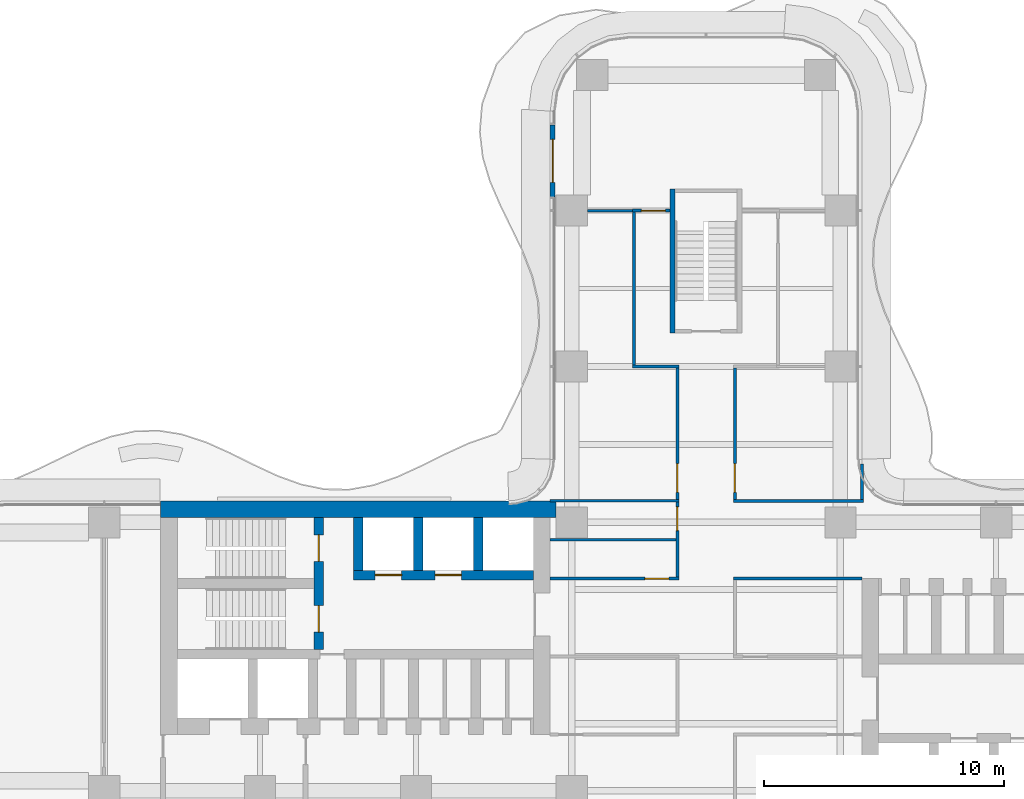
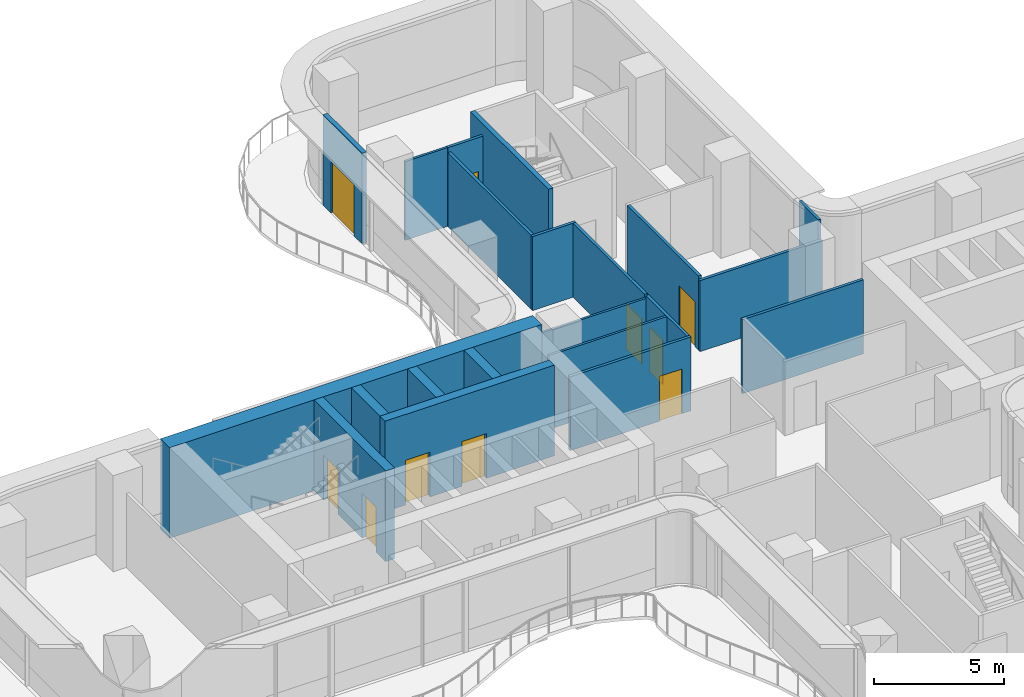
# One storey, part 20 of 23: 21 walls, 10 doors, 10 openings.
"""IFC4 building model written with IfcOpenShell, lengths in metres."""

import ifcopenshell
import ifcopenshell.guid

model = None  # the IFC model being written
_history = None  # IfcOwnerHistory: only IFC2X3 demands one
_inside = {}  # id of a spatial element -> (the spatial element, [elements in it])
_under = {}  # id of a project, library or spatial element -> (it, [spatial elements below it])
_declared = {}  # id of a project -> (the project, [libraries it declares])
_typed = {}  # id of a type object -> (the type object, [elements of that type])
_made_of = {}  # id of a material, layer set ... -> (it, [elements and type objects made of it])


def new_model(schema):
    """Start an empty IFC model of exactly this schema.

    Asked for "IFC4X3", IfcOpenShell would pick the latest addendum, in which some entities
    have other attributes; the version numbers below select the first issue.
    IFC2X3 requires an IfcOwnerHistory on every rooted entity: one is made here for all.
    """
    global model, _history
    if schema == "IFC4X3":
        model = ifcopenshell.file(schema_version=(4, 3, 0, 0))
    else:
        model = ifcopenshell.file(schema=schema)
    _inside.clear()
    _under.clear()
    _declared.clear()
    _typed.clear()
    _made_of.clear()
    _history = None
    if model.schema == "IFC2X3":
        org = make("IfcOrganization", Name="unknown")
        user = make(
            "IfcPersonAndOrganization",
            ThePerson=make("IfcPerson", FamilyName="unknown"),
            TheOrganization=org,
        )
        app = make(
            "IfcApplication",
            ApplicationDeveloper=org,
            Version="unknown",
            ApplicationFullName="unknown",
            ApplicationIdentifier="unknown",
        )
        _history = make(
            "IfcOwnerHistory",
            OwningUser=user,
            OwningApplication=app,
            ChangeAction="ADDED",
            CreationDate=0,
        )
    return model


def make(cls, **values):
    """One entity of the class cls with the attributes given. An attribute that is None is left unset."""
    return model.create_entity(
        cls, **{name: value for name, value in values.items() if value is not None}
    )


def rooted(cls, **values):
    """An entity with a GlobalId (a new one), such as an element, a storey or a relation."""
    return make(cls, GlobalId=ifcopenshell.guid.new(), OwnerHistory=_history, **values)


def si_unit(unit_type, name, prefix=None):
    """IfcSIUnit, for example si_unit("LENGTHUNIT", "METRE", prefix="MILLI")."""
    return make("IfcSIUnit", UnitType=unit_type, Prefix=prefix, Name=name)


def assignment(units):
    """IfcUnitAssignment: the units of a project."""
    return None if units is None else make("IfcUnitAssignment", Units=units)


def point(xyz):
    """IfcCartesianPoint."""
    return None if xyz is None else make("IfcCartesianPoint", Coordinates=xyz)


def direction(xyz):
    """IfcDirection."""
    return None if xyz is None else make("IfcDirection", DirectionRatios=xyz)


def frame(location, z_axis=None, x_axis=None):
    """IfcAxis2Placement3D, a coordinate frame: its origin and axes. An axis left out is left unset."""
    return make(
        "IfcAxis2Placement3D",
        Location=point(location),
        Axis=direction(z_axis),
        RefDirection=direction(x_axis),
    )


def frame_2d(location, x_axis=None):
    """IfcAxis2Placement2D, a coordinate frame in the plane: its origin and x axis."""
    return make(
        "IfcAxis2Placement2D", Location=point(location), RefDirection=direction(x_axis)
    )


def origin():
    """The frame at (0, 0, 0) with its axes left unset."""
    return frame((0.0, 0.0, 0.0))


def place(relative_to, where):
    """IfcLocalPlacement: puts the frame where relative to a parent placement (None: the world)."""
    return make(
        "IfcLocalPlacement", PlacementRelTo=relative_to, RelativePlacement=where
    )


def context(
    kind, dimensions, precision=None, world=None, true_north=None, identifier=None
):
    """IfcGeometricRepresentationContext, for example the 3D "Model" context."""
    return make(
        "IfcGeometricRepresentationContext",
        ContextIdentifier=identifier,
        ContextType=kind,
        CoordinateSpaceDimension=dimensions,
        Precision=precision,
        WorldCoordinateSystem=world,
        TrueNorth=true_north,
    )


def subcontext(parent, identifier, kind, view, scale=None):
    """IfcGeometricRepresentationSubContext, for example "Body" below "Model"."""
    return make(
        "IfcGeometricRepresentationSubContext",
        ContextIdentifier=identifier,
        ContextType=kind,
        ParentContext=parent,
        TargetScale=scale,
        TargetView=view,
    )


def project(units=None, contexts=None):
    """IfcProject with its units and contexts."""
    return rooted(
        "IfcProject",
        Name="project",
        RepresentationContexts=contexts,
        UnitsInContext=assignment(units),
    )


def spatial(cls, under=None, at=None, **own):
    """A site, building, storey or space (cls), placed at a placement, below another one or the project."""
    s = rooted(cls, ObjectPlacement=at, **own)
    if under is not None:
        _under.setdefault(under.id(), (under, []))[1].append(s)
    return s


def profile(cls, at=None, kind="AREA", **sizes):
    """A parametric profile (cls). Its sizes go by their IFC names, for example OverallWidth=200.0."""
    return make(cls, ProfileType=kind, Position=at, **sizes)


def rectangle(**sizes):
    """IfcRectangleProfileDef."""
    return profile("IfcRectangleProfileDef", **sizes)


def extrude(swept, where, along, depth):
    """IfcExtrudedAreaSolid: the profile swept, set in the frame where, extruded along a direction by depth."""
    return make(
        "IfcExtrudedAreaSolid",
        SweptArea=swept,
        Position=where,
        ExtrudedDirection=direction(along),
        Depth=depth,
    )


def shape(context_of_items, identifier, shape_type, items):
    """IfcShapeRepresentation: the items that make up one representation, for example the "Body"."""
    return make(
        "IfcShapeRepresentation",
        ContextOfItems=context_of_items,
        RepresentationIdentifier=identifier,
        RepresentationType=shape_type,
        Items=items,
    )


def source(mapping_origin, context_of_items, identifier, shape_type, items):
    """IfcRepresentationMap: a shape defined once, which mapped items show again and again."""
    return make(
        "IfcRepresentationMap",
        MappingOrigin=mapping_origin,
        MappedRepresentation=shape(context_of_items, identifier, shape_type, items),
    )


def transform(
    local_origin,
    x_axis=None,
    y_axis=None,
    z_axis=None,
    scale=None,
    scale2=None,
    scale3=None,
    uniform=True,
):
    """IfcCartesianTransformationOperator3D, or its non-uniform kind. x_axis, y_axis, z_axis: its Axis1, 2, 3."""
    if uniform:
        return make(
            "IfcCartesianTransformationOperator3D",
            Axis1=direction(x_axis),
            Axis2=direction(y_axis),
            LocalOrigin=point(local_origin),
            Scale=scale,
            Axis3=direction(z_axis),
        )
    return make(
        "IfcCartesianTransformationOperator3DnonUniform",
        Axis1=direction(x_axis),
        Axis2=direction(y_axis),
        LocalOrigin=point(local_origin),
        Scale=scale,
        Axis3=direction(z_axis),
        Scale2=scale2,
        Scale3=scale3,
    )


def mapped(mapping_source, mapping_target):
    """IfcMappedItem: shows the shape of a source again, moved by a transform."""
    return make(
        "IfcMappedItem", MappingSource=mapping_source, MappingTarget=mapping_target
    )


def material(Name=None, Category=None):
    """IfcMaterial."""
    return make("IfcMaterial", Name=Name, Category=Category)


def layer(
    of_material, thickness, ventilated=None, Name=None, Category=None, Priority=None
):
    """IfcMaterialLayer: one layer of a wall or slab, of a material (None: an air gap)."""
    return make(
        "IfcMaterialLayer",
        Material=of_material,
        LayerThickness=thickness,
        IsVentilated=ventilated,
        Name=Name,
        Category=Category,
        Priority=Priority,
    )


def layer_set(layers, Name=None):
    """IfcMaterialLayerSet."""
    return make("IfcMaterialLayerSet", MaterialLayers=layers, LayerSetName=Name)


def made_of(thing, what):
    """Note that an element or type object is made of a material, layer set ...; save() writes the relation."""
    if what is not None:
        _made_of.setdefault(what.id(), (what, []))[1].append(thing)
    return thing


def type_object(cls, material=None, **own):
    """A type object (cls), such as IfcWallType, which elements share."""
    return made_of(rooted(cls, **own), material)


def element(
    cls,
    number,
    at=None,
    inside=None,
    cuts=None,
    type_object=None,
    material=None,
    context=None,
    identifier="Body",
    shape_type=None,
    held_by="IfcProductDefinitionShape",
    body=None,
    shapes=None,
    **own,
):
    """One element of the class cls, such as IfcWall. Its Tag is "e" and its number.

    at: its placement. inside: the storey or other place that contains it. cuts: it is an
    opening in that element (IfcRelVoidsElement). A single representation is given by context,
    identifier, shape_type and body (its items); several are given by shapes. held_by: the class
    of the entity that holds the representations. save() writes the other relations.
    """
    e = rooted(cls, Tag="e%d" % number, ObjectPlacement=at, **own)
    if body is not None:
        shapes = [shape(context, identifier, shape_type, body)]
    if shapes is not None:
        e.Representation = make(held_by, Representations=shapes)
    if inside is not None:
        _inside.setdefault(inside.id(), (inside, []))[1].append(e)
    if cuts is not None:
        rooted(
            "IfcRelVoidsElement", RelatingBuildingElement=cuts, RelatedOpeningElement=e
        )
    if type_object is not None:
        _typed.setdefault(type_object.id(), (type_object, []))[1].append(e)
    return made_of(e, material)


def fill(opening, filler):
    """IfcRelFillsElement: the door or window that sits in an opening."""
    return rooted(
        "IfcRelFillsElement",
        RelatingOpeningElement=opening,
        RelatedBuildingElement=filler,
    )


def aggregate(whole, parts):
    """IfcRelAggregates: a whole, such as a stair, and the parts it consists of."""
    return rooted("IfcRelAggregates", RelatingObject=whole, RelatedObjects=parts)


def save(model, path):
    """Write the relations noted so far, then the file.

    IfcRelAggregates (storeys below a building ...), IfcRelContainedInSpatialStructure (elements
    in a storey), IfcRelDefinesByType, IfcRelAssociatesMaterial and IfcRelDeclares: one each for
    every whole, place, type object, material and project.
    """
    for whole, parts in _under.values():
        aggregate(whole, parts)
    for where, things in _inside.values():
        rooted(
            "IfcRelContainedInSpatialStructure",
            RelatedElements=things,
            RelatingStructure=where,
        )
    for kind, things in _typed.values():
        rooted("IfcRelDefinesByType", RelatedObjects=things, RelatingType=kind)
    for what, things in _made_of.values():
        rooted("IfcRelAssociatesMaterial", RelatedObjects=things, RelatingMaterial=what)
    for by, libraries in _declared.values():
        rooted("IfcRelDeclares", RelatingContext=by, RelatedDefinitions=libraries)
    model.write(path)


model = new_model("IFC4")

# Units and contexts
model_context = context("Model", 3, precision=1e-05, world=origin(), true_north=direction((0.0, 1.0)))
body_context = subcontext(model_context, "Body", "Model", "MODEL_VIEW")
ifc_project = project(units=[si_unit("LENGTHUNIT", "METRE"), si_unit("AREAUNIT", "SQUARE_METRE"), si_unit("VOLUMEUNIT", "CUBIC_METRE"), si_unit("PLANEANGLEUNIT", "RADIAN"), si_unit("MASSUNIT", "GRAM", prefix="KILO")], contexts=[model_context])

# Site, building, storey
site_placement = place(None, origin())
site = spatial("IfcSite", under=ifc_project, at=site_placement, CompositionType="ELEMENT")
building_placement = place(site_placement, origin())
building = spatial("IfcBuilding", under=site, at=building_placement, Name="Trellis Farm Tower", CompositionType="ELEMENT")
storey_placement = place(building_placement, frame((0.0, 0.0, 120.0)))
storey = spatial("IfcBuildingStorey", under=building, at=storey_placement, Name="L25", CompositionType="ELEMENT", Elevation=120.0)

# Walls
ifc_material_1 = material(Name="Concrete C70/85", Category="concrete")
ifc_layer_1 = layer(ifc_material_1, 0.39990234375)
ifc_layer_set_1 = layer_set([ifc_layer_1], Name="CORE INNER WALL 400 CONCRETE C70/85")
wall_type_1 = type_object("IfcWallType", Name="CORE INNER WALL 400 CONCRETE C70/85", PredefinedType="SHEAR", material=ifc_layer_set_1)
shared_shape_1 = source(origin(), body_context, "Body", "SweptSolid", [
    extrude(rectangle(XDim=2.199951171875, YDim=0.39990234375, at=frame_2d((1.10009765625, 0.0))), origin(), (0.0, 0.0, 1.0), 4.25),
])
for number, where, z_axis, x_axis, name in (
    (1, (-9.5, 5.800048828125, 0.0), (0.0, 0.0, 1.0), (0.0, -1.0, 0.0), "Core wall"),
    (2, (-12.0, 5.800048828125, 0.0), (0.0, 0.0, 1.0), (0.0, -1.0, 0.0), "Core wall"),
    (3, (-14.5, 5.800048828125, 0.0), (0.0, 0.0, 1.0), (0.0, -1.0, 0.0), "Core wall"),
):
    element("IfcWall", number, at=place(storey_placement, frame(where, z_axis=z_axis, x_axis=x_axis)), inside=storey, type_object=wall_type_1, Name=name, PredefinedType="SHEAR", context=body_context, shape_type="MappedRepresentation", body=[
        mapped(shared_shape_1, transform((0.0, 0.0, 0.0))),
    ])

# Wall, openings, doors
shared_shape_2 = source(origin(), body_context, "Body", "SweptSolid", [
    extrude(rectangle(XDim=7.5, YDim=0.39990234375, at=frame_2d((3.75, 0.0))), origin(), (0.0, 0.0, 1.0), 4.25),
])
wall_1_placement = place(storey_placement, frame((-7.199951171875, 3.39990234375, 0.0), z_axis=(0.0, 0.0, 1.0), x_axis=(-1.0, 0.0, 0.0)))
wall_1 = element("IfcWall", 4, at=wall_1_placement, inside=storey, type_object=wall_type_1, Name="Core wall", PredefinedType="SHEAR", context=body_context, shape_type="MappedRepresentation", body=[
    mapped(shared_shape_2, transform((0.0, 0.0, 0.0))),
])
shared_shape_3 = source(origin(), body_context, "Body", "SweptSolid", [
    extrude(rectangle(XDim=1.10009765625, YDim=2.10009765625, at=frame_2d((0.550048828125, 1.050048828125))), frame((0.0, 0.2099609375, 0.0), z_axis=(0.0, -1.0, 0.0), x_axis=(1.0, 0.0, 0.0)), (0.0, 0.0, 1.0), 0.419921875),
])
opening_1_placement = place(wall_1_placement, frame((3.0, 0.0, 0.0)))
opening_1 = element("IfcOpeningElement", 5, at=opening_1_placement, cuts=wall_1, Name="Opening LD10", PredefinedType="OPENING", context=body_context, shape_type="MappedRepresentation", body=[
    mapped(shared_shape_3, transform((0.0, 0.0, 0.0))),
])
opening_2_placement = place(wall_1_placement, frame((5.5, 0.0, 0.0)))
opening_2 = element("IfcOpeningElement", 6, at=opening_2_placement, cuts=wall_1, Name="Opening LD11", PredefinedType="OPENING", context=body_context, shape_type="MappedRepresentation", body=[
    mapped(shared_shape_3, transform((0.0, 0.0, 0.0))),
])
ifc_material_2 = material(Name="Stainless steel", Category="steel")
door_type_1 = type_object("IfcDoorType", Name="LIFT LANDING DOOR 1100 X 2100", OperationType="DOUBLE_DOOR_SLIDING", PredefinedType="DOOR", material=ifc_material_2)
shared_shape_4 = source(origin(), body_context, "Body", "SweptSolid", [
    extrude(rectangle(XDim=1.10009765625, YDim=2.10009765625, at=frame_2d((0.550048828125, 1.050048828125))), frame((0.0, 0.02490234375, 0.0), z_axis=(0.0, -1.0, 0.0), x_axis=(1.0, 0.0, 0.0)), (0.0, 0.0, 1.0), 0.050048828125),
])
door_1_placement = place(opening_1_placement, origin())
door_1 = element("IfcDoor", 7, at=door_1_placement, inside=storey, type_object=door_type_1, Name="Lift landing door", OperationType="DOUBLE_DOOR_SLIDING", OverallHeight=2.10009765625, OverallWidth=1.10009765625, PredefinedType="DOOR", context=body_context, shape_type="MappedRepresentation", body=[
    mapped(shared_shape_4, transform((0.0, 0.0, 0.0))),
])
fill(opening_1, door_1)
door_2_placement = place(opening_2_placement, origin())
door_2 = element("IfcDoor", 8, at=door_2_placement, inside=storey, type_object=door_type_1, Name="Lift landing door", OperationType="DOUBLE_DOOR_SLIDING", OverallHeight=2.10009765625, OverallWidth=1.10009765625, PredefinedType="DOOR", context=body_context, shape_type="MappedRepresentation", body=[
    mapped(shared_shape_4, transform((0.0, 0.0, 0.0))),
])
fill(opening_2, door_2)

shared_shape_5 = source(origin(), body_context, "Body", "SweptSolid", [
    extrude(rectangle(XDim=5.5, YDim=0.39990234375, at=frame_2d((2.75, 0.0))), origin(), (0.0, 0.0, 1.0), 4.25),
])
wall_2_placement = place(storey_placement, frame((-16.14990234375, 5.800048828125, 0.0), z_axis=(0.0, 0.0, 1.0), x_axis=(0.0, -1.0, 0.0)))
wall_2 = element("IfcWall", 9, at=wall_2_placement, inside=storey, type_object=wall_type_1, Name="Core wall", PredefinedType="SHEAR", context=body_context, shape_type="MappedRepresentation", body=[
    mapped(shared_shape_5, transform((0.0, 0.0, 0.0))),
])
opening_3_placement = place(wall_2_placement, frame((0.72509765625, 0.0, 0.0)))
opening_3 = element("IfcOpeningElement", 10, at=opening_3_placement, cuts=wall_2, Name="Opening DC88", PredefinedType="OPENING", context=body_context, shape_type="MappedRepresentation", body=[
    mapped(shared_shape_3, transform((0.0, 0.0, 0.0))),
])
opening_4_placement = place(wall_2_placement, frame((3.675048828125, 0.0, 0.0)))
opening_4 = element("IfcOpeningElement", 11, at=opening_4_placement, cuts=wall_2, Name="Opening DC89", PredefinedType="OPENING", context=body_context, shape_type="MappedRepresentation", body=[
    mapped(shared_shape_3, transform((0.0, 0.0, 0.0))),
])
ifc_material_3 = material(Name="Steel", Category="steel")
door_type_2 = type_object("IfcDoorType", Name="CORE FIRE DOOR 1100 X 2100", OperationType="NOTDEFINED", PredefinedType="DOOR", material=ifc_material_3)
door_3_placement = place(opening_3_placement, origin())
door_3 = element("IfcDoor", 12, at=door_3_placement, inside=storey, type_object=door_type_2, Name="Core door", OperationType="SINGLE_SWING_RIGHT", OverallHeight=2.10009765625, OverallWidth=1.10009765625, PredefinedType="DOOR", context=body_context, shape_type="MappedRepresentation", body=[
    mapped(shared_shape_4, transform((0.0, 0.0, 0.0))),
])
fill(opening_3, door_3)
door_4_placement = place(opening_4_placement, origin())
door_4 = element("IfcDoor", 13, at=door_4_placement, inside=storey, type_object=door_type_2, Name="Core door", OperationType="SINGLE_SWING_LEFT", OverallHeight=2.10009765625, OverallWidth=1.10009765625, PredefinedType="DOOR", context=body_context, shape_type="MappedRepresentation", body=[
    mapped(shared_shape_4, transform((0.0, 0.0, 0.0))),
])
fill(opening_4, door_4)

# Walls
ifc_layer_2 = layer(ifc_material_1, 0.699951171875)
ifc_layer_set_2 = layer_set([ifc_layer_2], Name="CORE OUTER WALL 700 CONCRETE C70/85")
wall_type_2 = type_object("IfcWallType", Name="CORE OUTER WALL 700 CONCRETE C70/85", PredefinedType="SHEAR", material=ifc_layer_set_2)
shared_shape_6 = source(origin(), body_context, "Body", "SweptSolid", [
    extrude(rectangle(XDim=16.5, YDim=0.699951171875, at=frame_2d((8.25, 0.0))), origin(), (0.0, 0.0, 1.0), 4.25),
])
wall_3_placement = place(storey_placement, frame((-6.25, 6.14990234375, 0.0), z_axis=(0.0, 0.0, 1.0), x_axis=(-1.0, 0.0, 0.0)))
element("IfcWall", 14, at=wall_3_placement, inside=storey, type_object=wall_type_2, Name="Core wall", PredefinedType="SHEAR", context=body_context, shape_type="MappedRepresentation", body=[
    mapped(shared_shape_6, transform((0.0, 0.0, 0.0))),
])
ifc_layer_3 = layer(ifc_material_1, 0.199951171875)
ifc_layer_set_3 = layer_set([ifc_layer_3], Name="CORE STAIR ENCLOSURE WALL 200 CONCRETE C70/85")
wall_type_3 = type_object("IfcWallType", Name="CORE STAIR ENCLOSURE WALL 200 CONCRETE C70/85", PredefinedType="SHEAR", material=ifc_layer_set_3)
shared_shape_7 = source(origin(), body_context, "Body", "SweptSolid", [
    extrude(rectangle(XDim=6.0, YDim=0.199951171875, at=frame_2d((3.0, 0.0))), origin(), (0.0, 0.0, 1.0), 4.25),
])
wall_4_placement = place(storey_placement, frame((-1.39990234375, 13.5, 0.0), z_axis=(0.0, 0.0, 1.0), x_axis=(0.0, 1.0, 0.0)))
element("IfcWall", 15, at=wall_4_placement, inside=storey, type_object=wall_type_3, Name="Stair enclosure wall", PredefinedType="SHEAR", context=body_context, shape_type="MappedRepresentation", body=[
    mapped(shared_shape_7, transform((0.0, 0.0, 0.0))),
])

# Wall, opening, door
ifc_material_4 = material(Name="Sandstone faced insulated wall", Category="masonry")
ifc_layer_4 = layer(ifc_material_4, 0.199951171875)
ifc_layer_set_4 = layer_set([ifc_layer_4], Name="EXTERNAL INFILL WALL 200")
wall_type_4 = type_object("IfcWallType", Name="EXTERNAL INFILL WALL 200", PredefinedType="SOLIDWALL", material=ifc_layer_set_4)
shared_shape_8 = source(origin(), body_context, "Body", "SweptSolid", [
    extrude(rectangle(XDim=3.0, YDim=0.199951171875, at=frame_2d((1.5, 0.0))), origin(), (0.0, 0.0, 1.0), 4.25),
])
wall_5_placement = place(storey_placement, frame((-6.39990234375, 22.175048828125, 0.0), z_axis=(0.0, 0.0, 1.0), x_axis=(0.0, -1.0, 0.0)))
wall_5 = element("IfcWall", 16, at=wall_5_placement, inside=storey, type_object=wall_type_4, Name="EW1 02", PredefinedType="SOLIDWALL", context=body_context, shape_type="MappedRepresentation", body=[
    mapped(shared_shape_8, transform((0.0, 0.0, 0.0))),
])
shared_shape_9 = source(origin(), body_context, "Body", "SweptSolid", [
    extrude(rectangle(XDim=1.800048828125, YDim=2.39990234375, at=frame_2d((0.89990234375, 1.199951171875))), frame((0.0, 0.110107421875, 0.0), z_axis=(0.0, -1.0, 0.0), x_axis=(1.0, 0.0, 0.0)), (0.0, 0.0, 1.0), 0.22021484375),
])
opening_5_placement = place(wall_5_placement, frame((0.60009765625, 0.0, 0.0)))
opening_5 = element("IfcOpeningElement", 17, at=opening_5_placement, cuts=wall_5, Name="Opening ED1", PredefinedType="OPENING", context=body_context, shape_type="MappedRepresentation", body=[
    mapped(shared_shape_9, transform((0.0, 0.0, 0.0))),
])
ifc_material_5 = material(Name="Aluminium framed glazed door", Category="aluminium")
door_type_3 = type_object("IfcDoorType", Name="BALCONY DOOR 1800x2400", OperationType="DOUBLE_DOOR_SINGLE_SWING", PredefinedType="DOOR", material=ifc_material_5)
shared_shape_10 = source(origin(), body_context, "Body", "SweptSolid", [
    extrude(rectangle(XDim=1.800048828125, YDim=2.39990234375, at=frame_2d((0.89990234375, 1.199951171875))), frame((0.0, 0.02490234375, 0.0), z_axis=(0.0, -1.0, 0.0), x_axis=(1.0, 0.0, 0.0)), (0.0, 0.0, 1.0), 0.050048828125),
])
door_5_placement = place(opening_5_placement, origin())
door_5 = element("IfcDoor", 18, at=door_5_placement, inside=storey, type_object=door_type_3, Name="Balcony door", OperationType="DOUBLE_DOOR_SINGLE_SWING", OverallHeight=2.39990234375, OverallWidth=1.800048828125, PredefinedType="DOOR", context=body_context, shape_type="MappedRepresentation", body=[
    mapped(shared_shape_10, transform((0.0, 0.0, 0.0))),
])
fill(opening_5, door_5)

ifc_material_6 = material(Name="Plasterboard on steel studs, mineral wool", Category="steel")
ifc_layer_5 = layer(ifc_material_6, 0.125)
ifc_layer_set_5 = layer_set([ifc_layer_5], Name="PARTITION 125 STUD EI 60")
wall_type_5 = type_object("IfcWallType", Name="PARTITION 125 STUD EI 60", PredefinedType="PARTITIONING", material=ifc_layer_set_5)
shared_shape_11 = source(origin(), body_context, "Body", "SweptSolid", [
    extrude(rectangle(XDim=5.47509765625, YDim=0.125, at=frame_2d((2.737548828125, 0.0))), origin(), (0.0, 0.0, 1.0), 3.4677734375),
])
wall_6_placement = place(storey_placement, frame((1.199951171875, 12.03759765625, 0.0), z_axis=(0.0, 0.0, 1.0), x_axis=(0.0, -1.0, 0.0)))
wall_6 = element("IfcWall", 19, at=wall_6_placement, inside=storey, type_object=wall_type_5, Name="Partition PW1", PredefinedType="PARTITIONING", context=body_context, shape_type="MappedRepresentation", body=[
    mapped(shared_shape_11, transform((0.0, 0.0, 0.0))),
])
shared_shape_12 = source(origin(), body_context, "Body", "SweptSolid", [
    extrude(rectangle(XDim=1.199951171875, YDim=2.10009765625, at=frame_2d((0.60009765625, 1.050048828125))), frame((0.0, 0.072509765625, 0.0), z_axis=(0.0, -1.0, 0.0), x_axis=(1.0, 0.0, 0.0)), (0.0, 0.0, 1.0), 0.14501953125),
])
opening_6_placement = place(wall_6_placement, frame((3.987548828125, 0.0, 0.0)))
opening_6 = element("IfcOpeningElement", 20, at=opening_6_placement, cuts=wall_6, Name="Opening D602", PredefinedType="OPENING", context=body_context, shape_type="MappedRepresentation", body=[
    mapped(shared_shape_12, transform((0.0, 0.0, 0.0))),
])
ifc_material_7 = material(Name="Fire-rated timber door leaf in a hollow metal frame", Category="wood")
door_type_4 = type_object("IfcDoorType", Name="DOOR 1200x2100 FD30S", OperationType="NOTDEFINED", PredefinedType="DOOR", material=ifc_material_7)
shared_shape_13 = source(origin(), body_context, "Body", "SweptSolid", [
    extrude(rectangle(XDim=1.199951171875, YDim=2.10009765625, at=frame_2d((0.60009765625, 1.050048828125))), frame((0.0, 0.02490234375, 0.0), z_axis=(0.0, -1.0, 0.0), x_axis=(1.0, 0.0, 0.0)), (0.0, 0.0, 1.0), 0.050048828125),
])
door_6_placement = place(opening_6_placement, origin())
door_6 = element("IfcDoor", 21, at=door_6_placement, inside=storey, type_object=door_type_4, Name="Door D602", OperationType="SINGLE_SWING_RIGHT", OverallHeight=2.10009765625, OverallWidth=1.199951171875, PredefinedType="DOOR", context=body_context, shape_type="MappedRepresentation", body=[
    mapped(shared_shape_13, transform((0.0, 0.0, 0.0))),
])
fill(opening_6, door_6)

# Walls
shared_shape_14 = source(origin(), body_context, "Body", "SweptSolid", [
    extrude(rectangle(XDim=1.468994140625, YDim=0.125, at=frame_2d((0.734375, 0.0))), origin(), (0.0, 0.0, 1.0), 4.25),
])
wall_7_placement = place(storey_placement, frame((6.5, 6.5625, 0.0), z_axis=(0.0, 0.0, 1.0), x_axis=(0.0, 1.0, 0.0)))
element("IfcWall", 22, at=wall_7_placement, inside=storey, type_object=wall_type_5, Name="Partition PW1", PredefinedType="PARTITIONING", context=body_context, shape_type="MappedRepresentation", body=[
    mapped(shared_shape_14, transform((0.0, 0.0, 0.0))),
])
shared_shape_15 = source(origin(), body_context, "Body", "SweptSolid", [
    extrude(rectangle(XDim=1.925048828125, YDim=0.125, at=frame_2d((0.96240234375, 0.0))), origin(), (0.0, 0.0, 1.0), 3.4677734375),
])
wall_8_placement = place(storey_placement, frame((-1.137451171875, 12.10009765625, 0.0), z_axis=(0.0, 0.0, 1.0), x_axis=(-1.0, 0.0, 0.0)))
element("IfcWall", 23, at=wall_8_placement, inside=storey, type_object=wall_type_5, Name="Partition PW1", PredefinedType="PARTITIONING", context=body_context, shape_type="MappedRepresentation", body=[
    mapped(shared_shape_15, transform((0.0, 0.0, 0.0))),
])

# Wall, opening, door
shared_shape_16 = source(origin(), body_context, "Body", "SweptSolid", [
    extrude(rectangle(XDim=5.362548828125, YDim=0.125, at=frame_2d((2.68115234375, 0.0))), origin(), (0.0, 0.0, 1.0), 3.4677734375),
])
wall_9_placement = place(storey_placement, frame((-6.5, 3.25, 0.0), z_axis=(0.0, 0.0, 1.0), x_axis=(1.0, 0.0, 0.0)))
wall_9 = element("IfcWall", 24, at=wall_9_placement, inside=storey, type_object=wall_type_5, Name="Partition PW1", PredefinedType="PARTITIONING", context=body_context, shape_type="MappedRepresentation", body=[
    mapped(shared_shape_16, transform((0.0, 0.0, 0.0))),
])
shared_shape_17 = source(origin(), body_context, "Body", "SweptSolid", [
    extrude(rectangle(XDim=1.0, YDim=2.10009765625, at=frame_2d((0.5, 1.050048828125))), frame((0.0, 0.072509765625, 0.0), z_axis=(0.0, -1.0, 0.0), x_axis=(1.0, 0.0, 0.0)), (0.0, 0.0, 1.0), 0.14501953125),
])
opening_7_placement = place(wall_9_placement, frame((3.949951171875, 0.0, 0.0)))
opening_7 = element("IfcOpeningElement", 25, at=opening_7_placement, cuts=wall_9, Name="Opening D105", PredefinedType="OPENING", context=body_context, shape_type="MappedRepresentation", body=[
    mapped(shared_shape_17, transform((0.0, 0.0, 0.0))),
])
door_type_5 = type_object("IfcDoorType", Name="DOOR 1000x2100 FD30S", OperationType="NOTDEFINED", PredefinedType="DOOR", material=ifc_material_7)
shared_shape_18 = source(origin(), body_context, "Body", "SweptSolid", [
    extrude(rectangle(XDim=1.0, YDim=2.10009765625, at=frame_2d((0.5, 1.050048828125))), frame((0.0, 0.02490234375, 0.0), z_axis=(0.0, -1.0, 0.0), x_axis=(1.0, 0.0, 0.0)), (0.0, 0.0, 1.0), 0.050048828125),
])
door_7_placement = place(opening_7_placement, origin())
door_7 = element("IfcDoor", 26, at=door_7_placement, inside=storey, type_object=door_type_5, Name="Door D105", OperationType="SINGLE_SWING_RIGHT", OverallHeight=2.10009765625, OverallWidth=1.0, PredefinedType="DOOR", context=body_context, shape_type="MappedRepresentation", body=[
    mapped(shared_shape_18, transform((0.0, 0.0, 0.0))),
])
fill(opening_7, door_7)

# Walls
wall_10_placement = place(storey_placement, frame((1.137451171875, 3.25, 0.0), z_axis=(0.0, 0.0, 1.0), x_axis=(1.0, 0.0, 0.0)))
element("IfcWall", 27, at=wall_10_placement, inside=storey, type_object=wall_type_5, Name="Partition PW1", PredefinedType="PARTITIONING", context=body_context, shape_type="MappedRepresentation", body=[
    mapped(shared_shape_16, transform((0.0, 0.0, 0.0))),
])
shared_shape_19 = source(origin(), body_context, "Body", "SweptSolid", [
    extrude(rectangle(XDim=5.425048828125, YDim=0.125, at=frame_2d((2.71240234375, 0.0))), origin(), (0.0, 0.0, 1.0), 3.330078125),
])
wall_11_placement = place(storey_placement, frame((1.137451171875, 6.5, 0.0), z_axis=(0.0, 0.0, 1.0), x_axis=(1.0, 0.0, 0.0)))
element("IfcWall", 28, at=wall_11_placement, inside=storey, type_object=wall_type_5, Name="Partition PW1", PredefinedType="PARTITIONING", context=body_context, shape_type="MappedRepresentation", body=[
    mapped(shared_shape_19, transform((0.0, 0.0, 0.0))),
])

# Wall, opening, door
shared_shape_20 = source(origin(), body_context, "Body", "SweptSolid", [
    extrude(rectangle(XDim=3.137451171875, YDim=0.125, at=frame_2d((1.56884765625, 0.0))), origin(), (0.0, 0.0, 1.0), 3.4677734375),
])
wall_12_placement = place(storey_placement, frame((-1.199951171875, 6.449951171875, 0.0), z_axis=(0.0, 0.0, 1.0), x_axis=(0.0, -1.0, 0.0)))
wall_12 = element("IfcWall", 29, at=wall_12_placement, inside=storey, type_object=wall_type_5, Name="Partition PW1", PredefinedType="PARTITIONING", context=body_context, shape_type="MappedRepresentation", body=[
    mapped(shared_shape_20, transform((0.0, 0.0, 0.0))),
])
opening_8_placement = place(wall_12_placement, frame((0.199951171875, 0.0, 0.0)))
opening_8 = element("IfcOpeningElement", 30, at=opening_8_placement, cuts=wall_12, Name="Opening D106", PredefinedType="OPENING", context=body_context, shape_type="MappedRepresentation", body=[
    mapped(shared_shape_17, transform((0.0, 0.0, 0.0))),
])
door_8_placement = place(opening_8_placement, origin())
door_8 = element("IfcDoor", 31, at=door_8_placement, inside=storey, type_object=door_type_5, Name="Door D106", OperationType="SINGLE_SWING_LEFT", OverallHeight=2.10009765625, OverallWidth=1.0, PredefinedType="DOOR", context=body_context, shape_type="MappedRepresentation", body=[
    mapped(shared_shape_18, transform((0.0, 0.0, 0.0))),
])
fill(opening_8, door_8)

shared_shape_21 = source(origin(), body_context, "Body", "SweptSolid", [
    extrude(rectangle(XDim=5.487548828125, YDim=0.125, at=frame_2d((2.74365234375, 0.0))), origin(), (0.0, 0.0, 1.0), 3.4677734375),
])
wall_13_placement = place(storey_placement, frame((-1.199951171875, 6.550048828125, 0.0), z_axis=(0.0, 0.0, 1.0), x_axis=(0.0, 1.0, 0.0)))
wall_13 = element("IfcWall", 32, at=wall_13_placement, inside=storey, type_object=wall_type_5, Name="Partition PW1", PredefinedType="PARTITIONING", context=body_context, shape_type="MappedRepresentation", body=[
    mapped(shared_shape_21, transform((0.0, 0.0, 0.0))),
])
opening_9_placement = place(wall_13_placement, frame((0.300048828125, 0.0, 0.0)))
opening_9 = element("IfcOpeningElement", 33, at=opening_9_placement, cuts=wall_13, Name="Opening D601", PredefinedType="OPENING", context=body_context, shape_type="MappedRepresentation", body=[
    mapped(shared_shape_12, transform((0.0, 0.0, 0.0))),
])
door_9_placement = place(opening_9_placement, origin())
door_9 = element("IfcDoor", 34, at=door_9_placement, inside=storey, type_object=door_type_4, Name="Door D601", OperationType="SINGLE_SWING_LEFT", OverallHeight=2.10009765625, OverallWidth=1.199951171875, PredefinedType="DOOR", context=body_context, shape_type="MappedRepresentation", body=[
    mapped(shared_shape_13, transform((0.0, 0.0, 0.0))),
])
fill(opening_9, door_9)

# Wall
ifc_material_8 = material(Name="Plasterboard on steel studs", Category="steel")
ifc_layer_6 = layer(ifc_material_8, 0.10009765625)
ifc_layer_set_6 = layer_set([ifc_layer_6], Name="PARTITION 100 STUD EI 30")
wall_type_6 = type_object("IfcWallType", Name="PARTITION 100 STUD EI 30", PredefinedType="PARTITIONING", material=ifc_layer_set_6)
shared_shape_22 = source(origin(), body_context, "Body", "SweptSolid", [
    extrude(rectangle(XDim=5.362548828125, YDim=0.10009765625, at=frame_2d((2.68115234375, 0.0))), origin(), (0.0, 0.0, 1.0), 3.330078125),
])
wall_14_placement = place(storey_placement, frame((-6.5, 6.5, 0.0), z_axis=(0.0, 0.0, 1.0), x_axis=(1.0, 0.0, 0.0)))
element("IfcWall", 35, at=wall_14_placement, inside=storey, type_object=wall_type_6, Name="Partition PW2", PredefinedType="PARTITIONING", context=body_context, shape_type="MappedRepresentation", body=[
    mapped(shared_shape_22, transform((0.0, 0.0, 0.0))),
])

# Wall, opening, door
shared_shape_23 = source(origin(), body_context, "Body", "SweptSolid", [
    extrude(rectangle(XDim=1.5625, YDim=0.125, at=frame_2d((0.78125, 0.0))), origin(), (0.0, 0.0, 1.0), 3.697021484375),
])
wall_15_placement = place(storey_placement, frame((-3.0625, 18.60009765625, 0.0), z_axis=(0.0, 0.0, 1.0), x_axis=(1.0, 0.0, 0.0)))
wall_15 = element("IfcWall", 36, at=wall_15_placement, inside=storey, type_object=wall_type_5, Name="Partition PW1", PredefinedType="PARTITIONING", context=body_context, shape_type="MappedRepresentation", body=[
    mapped(shared_shape_23, transform((0.0, 0.0, 0.0))),
])
opening_10_placement = place(wall_15_placement, frame((0.362548828125, 0.0, 0.0)))
opening_10 = element("IfcOpeningElement", 37, at=opening_10_placement, cuts=wall_15, Name="Opening D108", PredefinedType="OPENING", context=body_context, shape_type="MappedRepresentation", body=[
    mapped(shared_shape_17, transform((0.0, 0.0, 0.0))),
])
door_10_placement = place(opening_10_placement, origin())
door_10 = element("IfcDoor", 38, at=door_10_placement, inside=storey, type_object=door_type_5, Name="Door D108", OperationType="SINGLE_SWING_RIGHT", OverallHeight=2.10009765625, OverallWidth=1.0, PredefinedType="DOOR", context=body_context, shape_type="MappedRepresentation", body=[
    mapped(shared_shape_18, transform((0.0, 0.0, 0.0))),
])
fill(opening_10, door_10)

# Walls
shared_shape_24 = source(origin(), body_context, "Body", "SweptSolid", [
    extrude(rectangle(XDim=6.387451171875, YDim=0.125, at=frame_2d((3.19384765625, 0.0))), origin(), (0.0, 0.0, 1.0), 3.4677734375),
])
wall_16_placement = place(storey_placement, frame((-3.0, 12.16259765625, 0.0), z_axis=(0.0, 0.0, 1.0), x_axis=(0.0, 1.0, 0.0)))
element("IfcWall", 39, at=wall_16_placement, inside=storey, type_object=wall_type_5, Name="Partition PW1", PredefinedType="PARTITIONING", context=body_context, shape_type="MappedRepresentation", body=[
    mapped(shared_shape_24, transform((0.0, 0.0, 0.0))),
])
shared_shape_25 = source(origin(), body_context, "Body", "SweptSolid", [
    extrude(rectangle(XDim=2.012451171875, YDim=0.10009765625, at=frame_2d((1.00634765625, 0.0))), origin(), (0.0, 0.0, 1.0), 3.697021484375),
])
wall_17_placement = place(storey_placement, frame((-4.949951171875, 18.60009765625, 0.0), z_axis=(0.0, 0.0, 1.0), x_axis=(1.0, 0.0, 0.0)))
element("IfcWall", 40, at=wall_17_placement, inside=storey, type_object=wall_type_6, Name="Partition PW2", PredefinedType="PARTITIONING", context=body_context, shape_type="MappedRepresentation", body=[
    mapped(shared_shape_25, transform((0.0, 0.0, 0.0))),
])
shared_shape_26 = source(origin(), body_context, "Body", "SweptSolid", [
    extrude(rectangle(XDim=5.237548828125, YDim=0.10009765625, at=frame_2d((2.61865234375, 0.0))), origin(), (0.0, 0.0, 1.0), 3.4677734375),
])
wall_18_placement = place(storey_placement, frame((-6.5, 4.875, 0.0), z_axis=(0.0, 0.0, 1.0), x_axis=(1.0, 0.0, 0.0)))
element("IfcWall", 41, at=wall_18_placement, inside=storey, type_object=wall_type_6, Name="Partition PW2", PredefinedType="PARTITIONING", context=body_context, shape_type="MappedRepresentation", body=[
    mapped(shared_shape_26, transform((0.0, 0.0, 0.0))),
])

save(model, "model.ifc")
